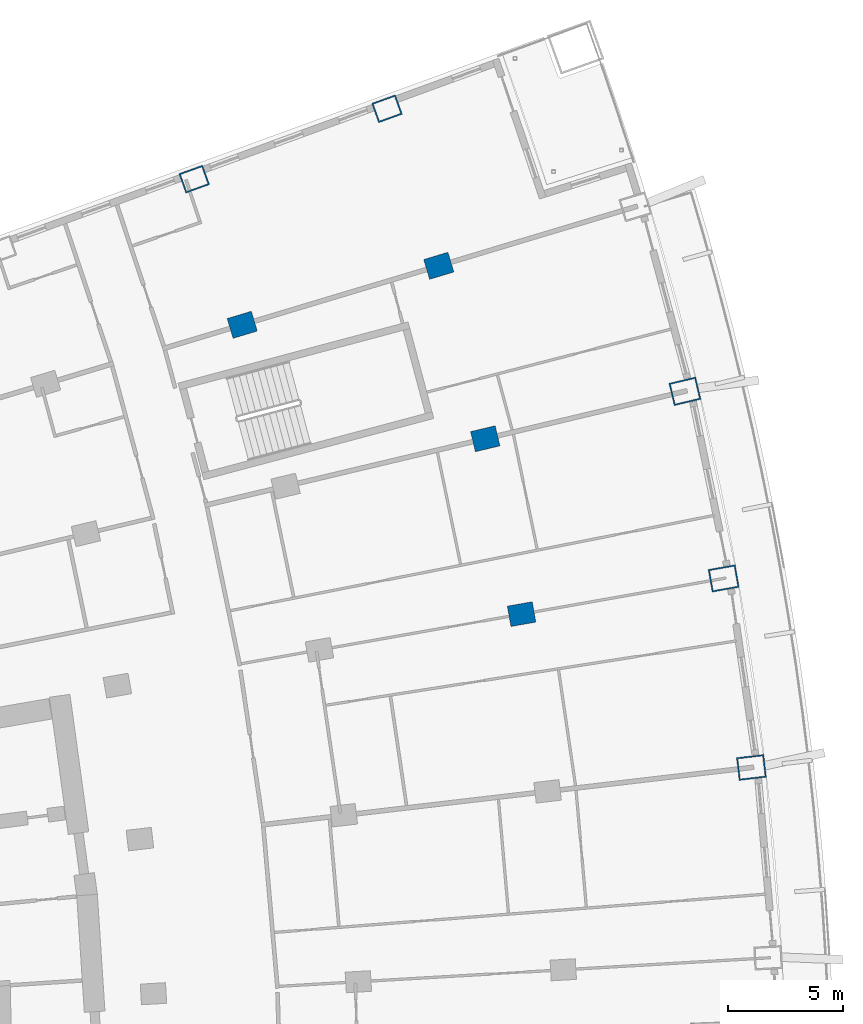
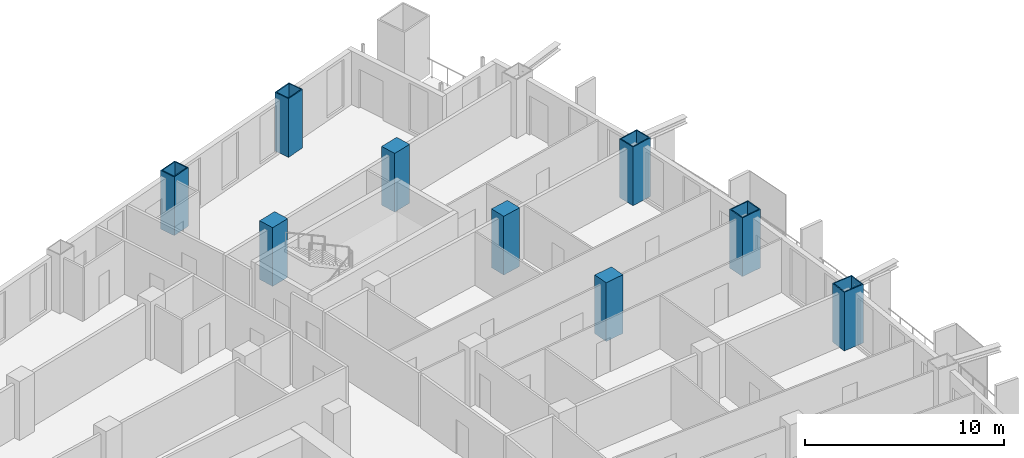
# One storey, part 10 of 25: 9 columns.
"""IFC4 building model written with IfcOpenShell, lengths in metres."""

from ifc_helpers import new_model, si_unit, direction, frame, origin, origin_2d, place, context, subcontext, project, spatial, rectangle, hollow_rectangle, extrude, material, material_profile, profile_set, type_object, element, save


model = new_model("IFC4")

# Units and contexts
model_context = context("Model", 3, precision=1e-05, world=origin(), true_north=direction((0.0, 1.0)))
body_context = subcontext(model_context, "Body", "Model", "MODEL_VIEW")
ifc_project = project(units=[si_unit("LENGTHUNIT", "METRE"), si_unit("AREAUNIT", "SQUARE_METRE"), si_unit("VOLUMEUNIT", "CUBIC_METRE"), si_unit("PLANEANGLEUNIT", "RADIAN"), si_unit("MASSUNIT", "GRAM", prefix="KILO")], contexts=[model_context])

# Site, building, storey
site_placement = place(None, origin())
site = spatial("IfcSite", under=ifc_project, at=site_placement, CompositionType="ELEMENT")
building_placement = place(site_placement, origin())
building = spatial("IfcBuilding", under=site, at=building_placement, Name="Alderwake Tower", CompositionType="ELEMENT")
storey_placement = place(building_placement, frame((0.0, 0.0, 57.199951171875)))
storey = spatial("IfcBuildingStorey", under=building, at=storey_placement, Name="L13", CompositionType="ELEMENT", Elevation=57.199951171875)

# Columns
ifc_material_1 = material(Name="Steel ASTM A572 Grade 50 concrete filled C70/85", Category="concrete")
ifc_material_profile_1 = material_profile(ifc_material_1, hollow_rectangle(XDim=0.89990234375, YDim=1.10009765625, WallThickness=0.06005859375, at=origin_2d()), Name="BOX 1100X900X60")
ifc_profile_set_1 = profile_set([ifc_material_profile_1], Name="Steel ASTM A572 Grade 50 concrete filled C70/85")
column_type_1 = type_object("IfcColumnType", Name="End column Z1", PredefinedType="COLUMN", material=ifc_profile_set_1)
for number, where, z_axis, x_axis, name in (
    (1, (37.37548828125, 103.206787109375, 0.0), (0.0, 0.0, 1.0), (-0.338374980629, 0.941011356193, 0.0), "Column R13-C3"),
    (2, (45.767333984375, 106.27001953125, 0.0), (0.0, 0.0, 1.0), (-0.33867716011, 0.940902641733, 0.0), "Column R13-C4"),
):
    element("IfcColumn", number, at=place(storey_placement, frame(where, z_axis=z_axis, x_axis=x_axis)), inside=storey, type_object=column_type_1, Name=name, PredefinedType="COLUMN", context=body_context, shape_type="SweptSolid", body=[
        extrude(hollow_rectangle(XDim=0.89990234375, YDim=1.10009765625, WallThickness=0.06005859375, at=origin_2d()), origin(), (0.0, 0.0, 1.0), 3.60009765625),
    ])
ifc_material_2 = material(Name="Concrete C70/85", Category="concrete")
ifc_material_profile_2 = material_profile(ifc_material_2, rectangle(XDim=0.89990234375, YDim=1.10009765625, at=origin_2d()), Name="RC 1100X900")
ifc_profile_set_2 = profile_set([ifc_material_profile_2], Name="Concrete C70/85")
column_type_2 = type_object("IfcColumnType", Name="Interior column Z1", PredefinedType="COLUMN", material=ifc_profile_set_2)
for number, where, z_axis, x_axis, name in (
    (3, (51.625, 84.2724609375, 0.0), (0.0, 0.0, 1.0), (-0.174108800747, 0.984726421654, 0.0), "Column R10-C4"),
    (4, (50.04443359375, 91.90673828125, 0.0), (0.0, 0.0, 1.0), (-0.231221547198, 0.972901123502, 0.0), "Column R11-C4"),
    (5, (39.46533203125, 96.866943359375, 0.0), (0.0, 0.0, 1.0), (-0.287549418125, 0.957765802342, 0.0), "Column R12-C3"),
    (6, (48.021484375, 99.435791015625, 0.0), (0.0, 0.0, 1.0), (-0.287549418125, 0.957765802342, 0.0), "Column R12-C4"),
):
    element("IfcColumn", number, at=place(storey_placement, frame(where, z_axis=z_axis, x_axis=x_axis)), inside=storey, type_object=column_type_2, Name=name, PredefinedType="COLUMN", context=body_context, shape_type="SweptSolid", body=[
        extrude(rectangle(XDim=0.89990234375, YDim=1.10009765625, at=origin_2d()), origin(), (0.0, 0.0, 1.0), 3.60009765625),
    ])
ifc_material_3 = material(Name="Steel ASTM A572 Grade 50 concrete filled C70/85", Category="concrete")
ifc_material_profile_3 = material_profile(ifc_material_3, hollow_rectangle(XDim=1.0, YDim=1.199951171875, WallThickness=0.06005859375, at=origin_2d()), Name="BOX 1200X1000X60")
ifc_profile_set_3 = profile_set([ifc_material_profile_3], Name="Steel ASTM A572 Grade 50 concrete filled C70/85")
column_type_3 = type_object("IfcColumnType", Name="Perimeter column Z1", PredefinedType="COLUMN", material=ifc_profile_set_3)
for number, where, z_axis, x_axis, name in (
    (7, (61.630615234375, 77.59912109375, 0.0), (0.0, 0.0, 1.0), (-0.116402054316, 0.993202175668, 0.0), "Column R09-C5"),
    (8, (60.422119140625, 85.827880859375, 0.0), (0.0, 0.0, 1.0), (-0.174108800747, 0.984726421654, 0.0), "Column R10-C5"),
    (9, (58.735595703125, 93.97216796875, 0.0), (0.0, 0.0, 1.0), (-0.231221547198, 0.972901123502, 0.0), "Column R11-C5"),
):
    element("IfcColumn", number, at=place(storey_placement, frame(where, z_axis=z_axis, x_axis=x_axis)), inside=storey, type_object=column_type_3, Name=name, PredefinedType="COLUMN", context=body_context, shape_type="SweptSolid", body=[
        extrude(hollow_rectangle(XDim=1.0, YDim=1.199951171875, WallThickness=0.06005859375, at=origin_2d()), origin(), (0.0, 0.0, 1.0), 3.60009765625),
    ])

save(model, "model.ifc")
